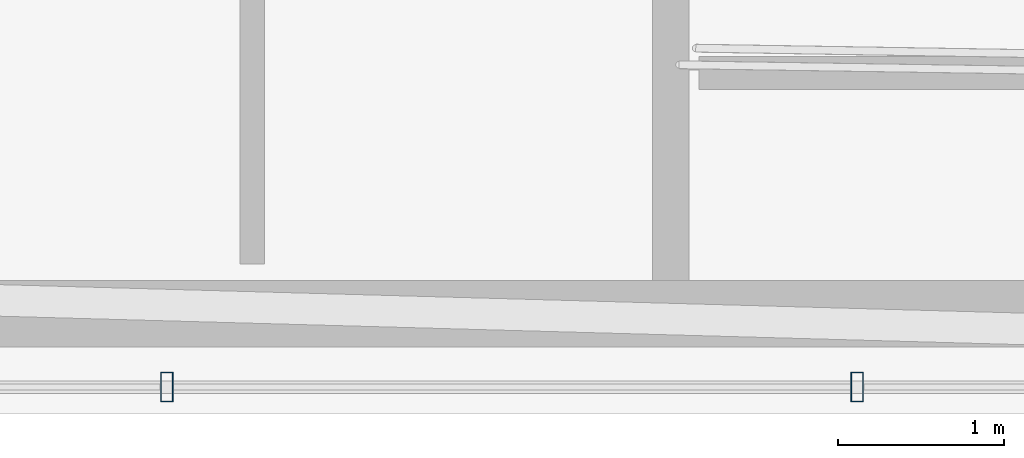
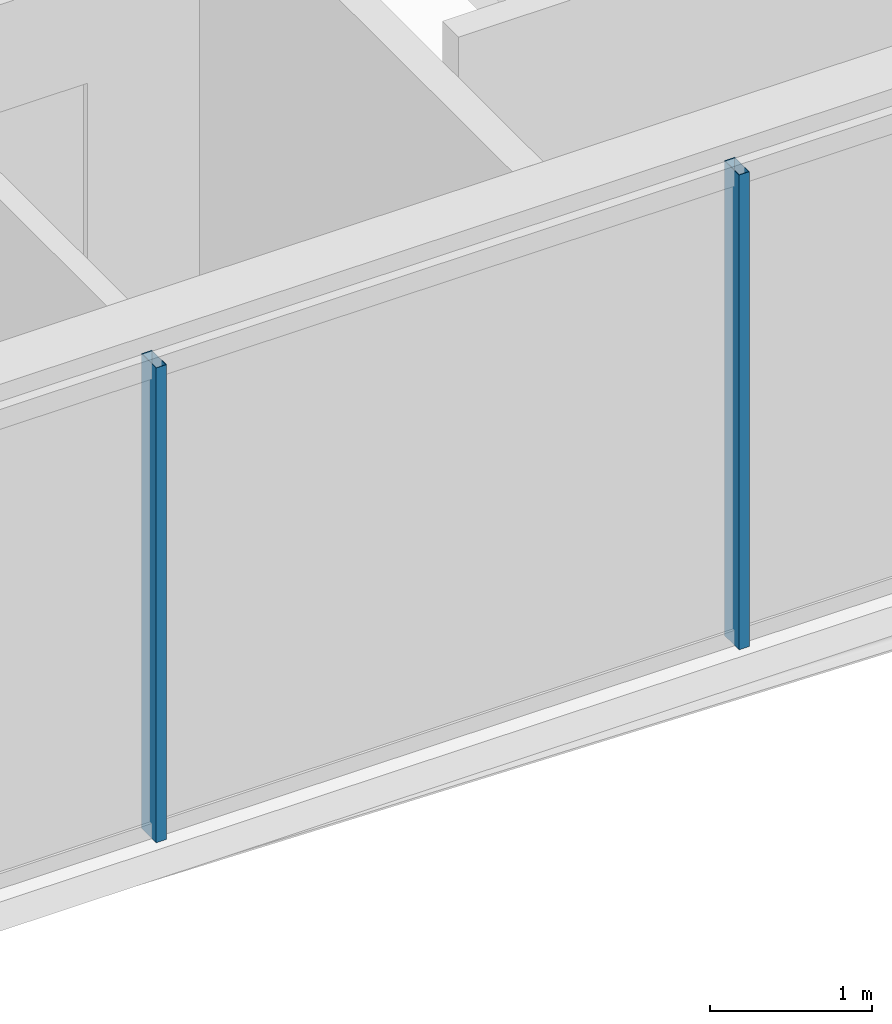
# One storey, part 7 of 35: 2 members, 1 element without a shape of its own.
"""IFC4 building model written with IfcOpenShell, lengths in metres."""

import ifcopenshell
import ifcopenshell.guid

model = None  # the IFC model being written
_history = None  # IfcOwnerHistory: only IFC2X3 demands one
_inside = {}  # id of a spatial element -> (the spatial element, [elements in it])
_under = {}  # id of a project, library or spatial element -> (it, [spatial elements below it])
_declared = {}  # id of a project -> (the project, [libraries it declares])
_typed = {}  # id of a type object -> (the type object, [elements of that type])
_made_of = {}  # id of a material, layer set ... -> (it, [elements and type objects made of it])


def new_model(schema):
    """Start an empty IFC model of exactly this schema.

    Asked for "IFC4X3", IfcOpenShell would pick the latest addendum, in which some entities
    have other attributes; the version numbers below select the first issue.
    IFC2X3 requires an IfcOwnerHistory on every rooted entity: one is made here for all.
    """
    global model, _history
    if schema == "IFC4X3":
        model = ifcopenshell.file(schema_version=(4, 3, 0, 0))
    else:
        model = ifcopenshell.file(schema=schema)
    _inside.clear()
    _under.clear()
    _declared.clear()
    _typed.clear()
    _made_of.clear()
    _history = None
    if model.schema == "IFC2X3":
        org = make("IfcOrganization", Name="unknown")
        user = make(
            "IfcPersonAndOrganization",
            ThePerson=make("IfcPerson", FamilyName="unknown"),
            TheOrganization=org,
        )
        app = make(
            "IfcApplication",
            ApplicationDeveloper=org,
            Version="unknown",
            ApplicationFullName="unknown",
            ApplicationIdentifier="unknown",
        )
        _history = make(
            "IfcOwnerHistory",
            OwningUser=user,
            OwningApplication=app,
            ChangeAction="ADDED",
            CreationDate=0,
        )
    return model


def make(cls, **values):
    """One entity of the class cls with the attributes given. An attribute that is None is left unset."""
    return model.create_entity(
        cls, **{name: value for name, value in values.items() if value is not None}
    )


def rooted(cls, **values):
    """An entity with a GlobalId (a new one), such as an element, a storey or a relation."""
    return make(cls, GlobalId=ifcopenshell.guid.new(), OwnerHistory=_history, **values)


def si_unit(unit_type, name, prefix=None):
    """IfcSIUnit, for example si_unit("LENGTHUNIT", "METRE", prefix="MILLI")."""
    return make("IfcSIUnit", UnitType=unit_type, Prefix=prefix, Name=name)


def assignment(units):
    """IfcUnitAssignment: the units of a project."""
    return None if units is None else make("IfcUnitAssignment", Units=units)


def point(xyz):
    """IfcCartesianPoint."""
    return None if xyz is None else make("IfcCartesianPoint", Coordinates=xyz)


def direction(xyz):
    """IfcDirection."""
    return None if xyz is None else make("IfcDirection", DirectionRatios=xyz)


def frame(location, z_axis=None, x_axis=None):
    """IfcAxis2Placement3D, a coordinate frame: its origin and axes. An axis left out is left unset."""
    return make(
        "IfcAxis2Placement3D",
        Location=point(location),
        Axis=direction(z_axis),
        RefDirection=direction(x_axis),
    )


def frame_2d(location, x_axis=None):
    """IfcAxis2Placement2D, a coordinate frame in the plane: its origin and x axis."""
    return make(
        "IfcAxis2Placement2D", Location=point(location), RefDirection=direction(x_axis)
    )


def origin():
    """The frame at (0, 0, 0) with its axes left unset."""
    return frame((0.0, 0.0, 0.0))


def origin_2d():
    """The frame at (0, 0) in the plane with its x axis left unset."""
    return frame_2d((0.0, 0.0))


def place(relative_to, where):
    """IfcLocalPlacement: puts the frame where relative to a parent placement (None: the world)."""
    return make(
        "IfcLocalPlacement", PlacementRelTo=relative_to, RelativePlacement=where
    )


def context(
    kind, dimensions, precision=None, world=None, true_north=None, identifier=None
):
    """IfcGeometricRepresentationContext, for example the 3D "Model" context."""
    return make(
        "IfcGeometricRepresentationContext",
        ContextIdentifier=identifier,
        ContextType=kind,
        CoordinateSpaceDimension=dimensions,
        Precision=precision,
        WorldCoordinateSystem=world,
        TrueNorth=true_north,
    )


def subcontext(parent, identifier, kind, view, scale=None):
    """IfcGeometricRepresentationSubContext, for example "Body" below "Model"."""
    return make(
        "IfcGeometricRepresentationSubContext",
        ContextIdentifier=identifier,
        ContextType=kind,
        ParentContext=parent,
        TargetScale=scale,
        TargetView=view,
    )


def project(units=None, contexts=None):
    """IfcProject with its units and contexts."""
    return rooted(
        "IfcProject",
        Name="project",
        RepresentationContexts=contexts,
        UnitsInContext=assignment(units),
    )


def spatial(cls, under=None, at=None, **own):
    """A site, building, storey or space (cls), placed at a placement, below another one or the project."""
    s = rooted(cls, ObjectPlacement=at, **own)
    if under is not None:
        _under.setdefault(under.id(), (under, []))[1].append(s)
    return s


def profile(cls, at=None, kind="AREA", **sizes):
    """A parametric profile (cls). Its sizes go by their IFC names, for example OverallWidth=200.0."""
    return make(cls, ProfileType=kind, Position=at, **sizes)


def hollow_rectangle(**sizes):
    """IfcRectangleHollowProfileDef."""
    return profile("IfcRectangleHollowProfileDef", **sizes)


def extrude(swept, where, along, depth):
    """IfcExtrudedAreaSolid: the profile swept, set in the frame where, extruded along a direction by depth."""
    return make(
        "IfcExtrudedAreaSolid",
        SweptArea=swept,
        Position=where,
        ExtrudedDirection=direction(along),
        Depth=depth,
    )


def shape(context_of_items, identifier, shape_type, items):
    """IfcShapeRepresentation: the items that make up one representation, for example the "Body"."""
    return make(
        "IfcShapeRepresentation",
        ContextOfItems=context_of_items,
        RepresentationIdentifier=identifier,
        RepresentationType=shape_type,
        Items=items,
    )


def material(Name=None, Category=None):
    """IfcMaterial."""
    return make("IfcMaterial", Name=Name, Category=Category)


def layer(
    of_material, thickness, ventilated=None, Name=None, Category=None, Priority=None
):
    """IfcMaterialLayer: one layer of a wall or slab, of a material (None: an air gap)."""
    return make(
        "IfcMaterialLayer",
        Material=of_material,
        LayerThickness=thickness,
        IsVentilated=ventilated,
        Name=Name,
        Category=Category,
        Priority=Priority,
    )


def layer_set(layers, Name=None):
    """IfcMaterialLayerSet."""
    return make("IfcMaterialLayerSet", MaterialLayers=layers, LayerSetName=Name)


def material_profile(
    of_material, cross_section, Name=None, Category=None, Priority=None
):
    """IfcMaterialProfile: a cross section and its material."""
    return make(
        "IfcMaterialProfile",
        Name=Name,
        Material=of_material,
        Profile=cross_section,
        Priority=Priority,
        Category=Category,
    )


def profile_set(profiles, Name=None, composite=None):
    """IfcMaterialProfileSet."""
    return make(
        "IfcMaterialProfileSet",
        Name=Name,
        MaterialProfiles=profiles,
        CompositeProfile=composite,
    )


def made_of(thing, what):
    """Note that an element or type object is made of a material, layer set ...; save() writes the relation."""
    if what is not None:
        _made_of.setdefault(what.id(), (what, []))[1].append(thing)
    return thing


def type_object(cls, material=None, **own):
    """A type object (cls), such as IfcWallType, which elements share."""
    return made_of(rooted(cls, **own), material)


def element(
    cls,
    number,
    at=None,
    inside=None,
    cuts=None,
    type_object=None,
    material=None,
    context=None,
    identifier="Body",
    shape_type=None,
    held_by="IfcProductDefinitionShape",
    body=None,
    shapes=None,
    **own,
):
    """One element of the class cls, such as IfcWall. Its Tag is "e" and its number.

    at: its placement. inside: the storey or other place that contains it. cuts: it is an
    opening in that element (IfcRelVoidsElement). A single representation is given by context,
    identifier, shape_type and body (its items); several are given by shapes. held_by: the class
    of the entity that holds the representations. save() writes the other relations.
    """
    e = rooted(cls, Tag="e%d" % number, ObjectPlacement=at, **own)
    if body is not None:
        shapes = [shape(context, identifier, shape_type, body)]
    if shapes is not None:
        e.Representation = make(held_by, Representations=shapes)
    if inside is not None:
        _inside.setdefault(inside.id(), (inside, []))[1].append(e)
    if cuts is not None:
        rooted(
            "IfcRelVoidsElement", RelatingBuildingElement=cuts, RelatedOpeningElement=e
        )
    if type_object is not None:
        _typed.setdefault(type_object.id(), (type_object, []))[1].append(e)
    return made_of(e, material)


def aggregate(whole, parts):
    """IfcRelAggregates: a whole, such as a stair, and the parts it consists of."""
    return rooted("IfcRelAggregates", RelatingObject=whole, RelatedObjects=parts)


def save(model, path):
    """Write the relations noted so far, then the file.

    IfcRelAggregates (storeys below a building ...), IfcRelContainedInSpatialStructure (elements
    in a storey), IfcRelDefinesByType, IfcRelAssociatesMaterial and IfcRelDeclares: one each for
    every whole, place, type object, material and project.
    """
    for whole, parts in _under.values():
        aggregate(whole, parts)
    for where, things in _inside.values():
        rooted(
            "IfcRelContainedInSpatialStructure",
            RelatedElements=things,
            RelatingStructure=where,
        )
    for kind, things in _typed.values():
        rooted("IfcRelDefinesByType", RelatedObjects=things, RelatingType=kind)
    for what, things in _made_of.values():
        rooted("IfcRelAssociatesMaterial", RelatedObjects=things, RelatingMaterial=what)
    for by, libraries in _declared.values():
        rooted("IfcRelDeclares", RelatingContext=by, RelatedDefinitions=libraries)
    model.write(path)


model = new_model("IFC4")

# Units and contexts
model_context = context("Model", 3, precision=1e-05, world=origin(), true_north=direction((0.0, 1.0)))
body_context = subcontext(model_context, "Body", "Model", "MODEL_VIEW")
ifc_project = project(units=[si_unit("LENGTHUNIT", "METRE"), si_unit("AREAUNIT", "SQUARE_METRE"), si_unit("VOLUMEUNIT", "CUBIC_METRE"), si_unit("PLANEANGLEUNIT", "RADIAN"), si_unit("MASSUNIT", "GRAM", prefix="KILO")], contexts=[model_context])

# Site, building, storey
site_placement = place(None, origin())
site = spatial("IfcSite", under=ifc_project, at=site_placement, CompositionType="ELEMENT")
building_placement = place(site_placement, origin())
building = spatial("IfcBuilding", under=site, at=building_placement, Name="Ndaravel Arena Tower", CompositionType="ELEMENT")
storey_placement = place(building_placement, frame((0.0, 0.0, 172.60009765625)))
storey = spatial("IfcBuildingStorey", under=building, at=storey_placement, Name="L41", CompositionType="ELEMENT", Elevation=172.60009765625)

# Curtain wall, members
ifc_material_1 = material(Name="Aluminium", Category="aluminium")
ifc_layer = layer(ifc_material_1, 0.179931640625)
ifc_layer_set = layer_set([ifc_layer], Name="Aluminium")
curtain_wall_type = type_object("IfcCurtainWallType", Name="CW-SYS-03", PredefinedType="NOTDEFINED", material=ifc_layer_set)
curtain_wall_placement = place(storey_placement, origin())
curtain_wall = element("IfcCurtainWall", 1, at=curtain_wall_placement, inside=storey, type_object=curtain_wall_type, Name="L41 Faceted Crystal Curtain Wall CW-L41-E01", PredefinedType="NOTDEFINED")
ifc_material_2 = material(Name="Aluminium", Category="aluminium")
ifc_material_profile = material_profile(ifc_material_2, hollow_rectangle(XDim=0.074951171875, YDim=0.179931640625, WallThickness=0.00390625, at=origin_2d()), Name="CW MULLION 75x180x4")
ifc_profile_set = profile_set([ifc_material_profile], Name="Aluminium")
member_type = type_object("IfcMemberType", Name="MEM-CW-MUL180", PredefinedType="MULLION", material=ifc_profile_set)
member_1_placement = place(storey_placement, frame((35.765380859375, 5.159912109375, 0.0), z_axis=(0.0, 0.0, 1.0), x_axis=(1.0, 0.0, 0.0)))
member_1 = element("IfcMember", 2, at=member_1_placement, type_object=member_type, Name="CW-L41-E01 Mullion 03", PredefinedType="MULLION", context=body_context, shape_type="SweptSolid", body=[
    extrude(hollow_rectangle(XDim=0.074951171875, YDim=0.179931640625, WallThickness=0.00390625, at=origin_2d()), origin(), (0.0, 0.0, 1.0), 3.579833984375),
])
member_2_placement = place(storey_placement, frame((39.921875, 5.159912109375, 0.0), z_axis=(0.0, 0.0, 1.0), x_axis=(1.0, 0.0, 0.0)))
member_2 = element("IfcMember", 3, at=member_2_placement, type_object=member_type, Name="CW-L41-E01 Mullion 04", PredefinedType="MULLION", context=body_context, shape_type="SweptSolid", body=[
    extrude(hollow_rectangle(XDim=0.074951171875, YDim=0.179931640625, WallThickness=0.00390625, at=origin_2d()), origin(), (0.0, 0.0, 1.0), 3.579833984375),
])
aggregate(curtain_wall, [member_1, member_2])

save(model, "model.ifc")
